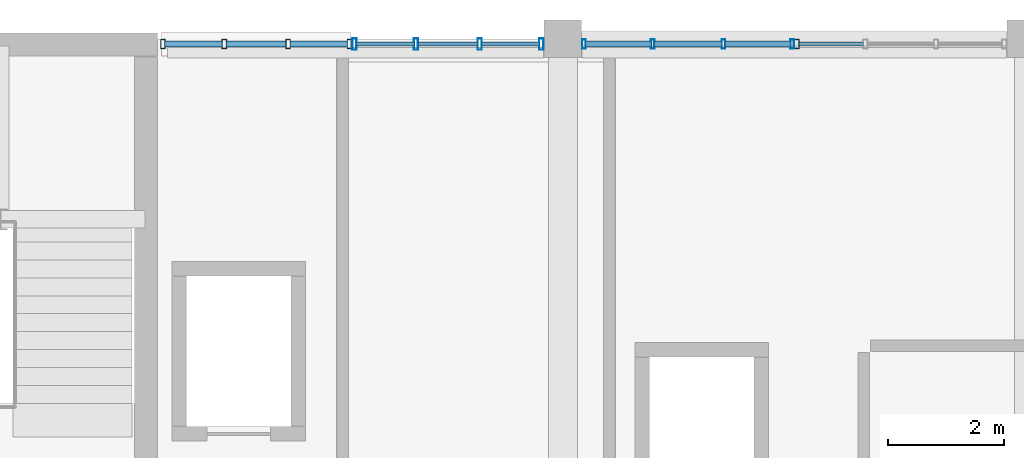
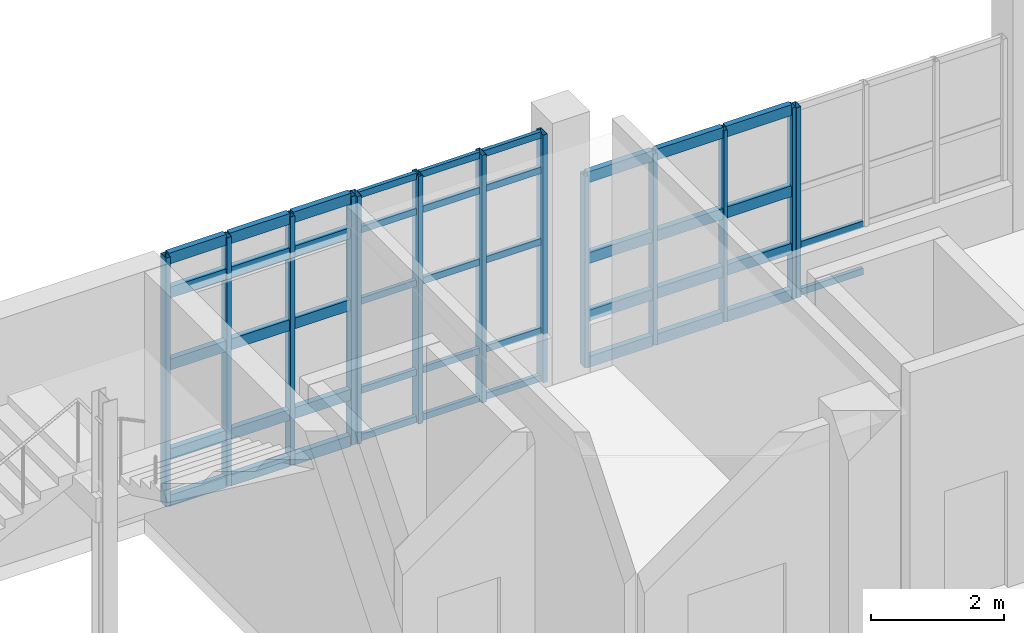
# One storey, part 47 of 102: 57 members, 4 elements without a shape of their own.
"""IFC4 building model written with IfcOpenShell, lengths in metres."""

from ifc_helpers import new_model, si_unit, derived_unit, direction, frame, origin, origin_2d, place, context, subcontext, project, spatial, hollow_rectangle, extrude, material, layer, layer_set, material_profile, profile_set, type_object, element, aggregate, save


model = new_model("IFC4")

# Units and contexts
model_context = context("Model", 3, precision=1e-05, world=origin(), true_north=direction((0.0, 1.0)))
body_context = subcontext(model_context, "Body", "Model", "MODEL_VIEW")
ifc_project = project(units=[si_unit("LENGTHUNIT", "METRE"), si_unit("AREAUNIT", "SQUARE_METRE"), si_unit("VOLUMEUNIT", "CUBIC_METRE"), si_unit("PLANEANGLEUNIT", "RADIAN"), si_unit("MASSUNIT", "GRAM", prefix="KILO"), derived_unit("THERMALTRANSMITTANCEUNIT", [(si_unit("POWERUNIT", "WATT"), 1), (si_unit("LENGTHUNIT", "METRE"), -2), (si_unit("THERMODYNAMICTEMPERATUREUNIT", "KELVIN"), -1)])], contexts=[model_context])

# Site, building, storey
site_placement = place(None, origin())
site = spatial("IfcSite", under=ifc_project, at=site_placement, CompositionType="ELEMENT")
building_placement = place(site_placement, origin())
building = spatial("IfcBuilding", under=site, at=building_placement, Name="Nallur Shell Playhouse", CompositionType="ELEMENT")
storey_placement = place(building_placement, frame((0.0, 0.0, 15.0)))
storey = spatial("IfcBuildingStorey", under=building, at=storey_placement, Name="L04", CompositionType="ELEMENT", Elevation=15.0)

# Curtain wall, members
ifc_material_1 = material(Name="Anodised Aluminium Double-Glazed Facade System", Category="aluminium")
ifc_layer_1 = layer(ifc_material_1, 0.16796875)
ifc_layer_set_1 = layer_set([ifc_layer_1], Name="Anodised Aluminium Double-Glazed Facade System")
curtain_wall_type_1 = type_object("IfcCurtainWallType", Name="CW-UNIT-08", PredefinedType="NOTDEFINED", material=ifc_layer_set_1)
curtain_wall_1_placement = place(storey_placement, origin())
curtain_wall_1 = element("IfcCurtainWall", 1, at=curtain_wall_1_placement, inside=storey, type_object=curtain_wall_type_1, Name="Unitised curtain wall CW-104 (L04)", PredefinedType="NOTDEFINED")
ifc_material_2 = material(Name="Aluminium Alloy 6063-T6 Mullion", Category="aluminium")
ifc_material_profile_1 = material_profile(ifc_material_2, hollow_rectangle(XDim=0.080078125, YDim=0.159912109375, WallThickness=0.006103515625, at=origin_2d()), Name="RHS 160x80x6")
ifc_profile_set_1 = profile_set([ifc_material_profile_1], Name="Aluminium Alloy 6063-T6 Mullion")
member_type_1 = type_object("IfcMemberType", Name="MB-CW-MUL150", PredefinedType="MULLION", material=ifc_profile_set_1)
member_1_placement = place(storey_placement, frame((33.090087890625, 82.909912109375, -0.014892578125), z_axis=(0.0, 0.0, 1.0), x_axis=(1.0, 0.0, 0.0)))
member_1 = element("IfcMember", 2, at=member_1_placement, type_object=member_type_1, Name="CW-08 mullion 1", PredefinedType="MULLION", context=body_context, shape_type="SweptSolid", body=[
    extrude(hollow_rectangle(XDim=0.080078125, YDim=0.159912109375, WallThickness=0.006103515625, at=origin_2d()), origin(), (0.0, 0.0, 1.0), 4.56884765625),
])
member_2_placement = place(storey_placement, frame((34.151123046875, 82.909912109375, -0.014892578125), z_axis=(0.0, 0.0, 1.0), x_axis=(1.0, 0.0, 0.0)))
member_2 = element("IfcMember", 3, at=member_2_placement, type_object=member_type_1, Name="CW-08 mullion 2", PredefinedType="MULLION", context=body_context, shape_type="SweptSolid", body=[
    extrude(hollow_rectangle(XDim=0.080078125, YDim=0.159912109375, WallThickness=0.006103515625, at=origin_2d()), origin(), (0.0, 0.0, 1.0), 4.56884765625),
])
member_3_placement = place(storey_placement, frame((35.25244140625, 82.909912109375, -0.014892578125), z_axis=(0.0, 0.0, 1.0), x_axis=(1.0, 0.0, 0.0)))
member_3 = element("IfcMember", 4, at=member_3_placement, type_object=member_type_1, Name="CW-08 mullion 3", PredefinedType="MULLION", context=body_context, shape_type="SweptSolid", body=[
    extrude(hollow_rectangle(XDim=0.080078125, YDim=0.159912109375, WallThickness=0.006103515625, at=origin_2d()), origin(), (0.0, 0.0, 1.0), 4.56884765625),
])
member_4_placement = place(storey_placement, frame((36.3134765625, 82.909912109375, -0.014892578125), z_axis=(0.0, 0.0, 1.0), x_axis=(1.0, 0.0, 0.0)))
member_4 = element("IfcMember", 5, at=member_4_placement, type_object=member_type_1, Name="CW-08 mullion 4", PredefinedType="MULLION", context=body_context, shape_type="SweptSolid", body=[
    extrude(hollow_rectangle(XDim=0.080078125, YDim=0.159912109375, WallThickness=0.006103515625, at=origin_2d()), origin(), (0.0, 0.0, 1.0), 4.56884765625),
])

# Curtain wall, member
ifc_layer_2 = layer(ifc_material_1, 0.179931640625)
ifc_layer_set_2 = layer_set([ifc_layer_2], Name="Anodised Aluminium Double-Glazed Facade System")
curtain_wall_type_2 = type_object("IfcCurtainWallType", Name="CW-UNIT-11", PredefinedType="NOTDEFINED", material=ifc_layer_set_2)
curtain_wall_2_placement = place(storey_placement, origin())
curtain_wall_2 = element("IfcCurtainWall", 6, at=curtain_wall_2_placement, inside=storey, type_object=curtain_wall_type_2, Name="Unitised curtain wall CW-107 (L04)", PredefinedType="NOTDEFINED")
member_5_placement = place(storey_placement, frame((44.044921875, 82.909912109375, -0.014892578125), z_axis=(0.0, 0.0, 1.0), x_axis=(1.0, 0.0, 0.0)))
member_5 = element("IfcMember", 7, at=member_5_placement, type_object=member_type_1, Name="CW-11 mullion 1", PredefinedType="MULLION", context=body_context, shape_type="SweptSolid", body=[
    extrude(hollow_rectangle(XDim=0.080078125, YDim=0.159912109375, WallThickness=0.006103515625, at=origin_2d()), origin(), (0.0, 0.0, 1.0), 3.493896484375),
])

# Curtain wall, members
ifc_layer_3 = layer(ifc_material_1, 0.176025390625)
ifc_layer_set_3 = layer_set([ifc_layer_3], Name="Anodised Aluminium Double-Glazed Facade System")
curtain_wall_type_3 = type_object("IfcCurtainWallType", Name="CW-UNIT-10", PredefinedType="NOTDEFINED", material=ifc_layer_set_3)
curtain_wall_3_placement = place(storey_placement, origin())
curtain_wall_3 = element("IfcCurtainWall", 8, at=curtain_wall_3_placement, inside=storey, type_object=curtain_wall_type_3, Name="Unitised curtain wall CW-106 (L04)", PredefinedType="NOTDEFINED")
ifc_material_profile_2 = material_profile(ifc_material_2, hollow_rectangle(XDim=0.06494140625, YDim=0.159912109375, WallThickness=0.00390625, at=origin_2d()), Name="ALU 65x160x4")
ifc_profile_set_2 = profile_set([ifc_material_profile_2], Name="Aluminium Alloy 6063-T6 Mullion")
member_type_2 = type_object("IfcMemberType", Name="MB-CW-MUL160", PredefinedType="MULLION", material=ifc_profile_set_2)
member_6_placement = place(storey_placement, frame((40.365478515625, 82.909912109375, -0.014892578125), z_axis=(0.0, 0.0, 1.0), x_axis=(1.0, 0.0, 0.0)))
member_6 = element("IfcMember", 9, at=member_6_placement, type_object=member_type_2, Name="CW-10 mullion 1", PredefinedType="MULLION", context=body_context, shape_type="SweptSolid", body=[
    extrude(hollow_rectangle(XDim=0.06494140625, YDim=0.159912109375, WallThickness=0.00390625, at=origin_2d()), origin(), (0.0, 0.0, 1.0), 3.513916015625),
])
member_7_placement = place(storey_placement, frame((41.5537109375, 82.909912109375, -0.014892578125), z_axis=(0.0, 0.0, 1.0), x_axis=(1.0, 0.0, 0.0)))
member_7 = element("IfcMember", 10, at=member_7_placement, type_object=member_type_2, Name="CW-10 mullion 2", PredefinedType="MULLION", context=body_context, shape_type="SweptSolid", body=[
    extrude(hollow_rectangle(XDim=0.06494140625, YDim=0.159912109375, WallThickness=0.00390625, at=origin_2d()), origin(), (0.0, 0.0, 1.0), 3.513916015625),
])
member_8_placement = place(storey_placement, frame((42.7744140625, 82.909912109375, -0.014892578125), z_axis=(0.0, 0.0, 1.0), x_axis=(1.0, 0.0, 0.0)))
member_8 = element("IfcMember", 11, at=member_8_placement, type_object=member_type_2, Name="CW-10 mullion 3", PredefinedType="MULLION", context=body_context, shape_type="SweptSolid", body=[
    extrude(hollow_rectangle(XDim=0.06494140625, YDim=0.159912109375, WallThickness=0.00390625, at=origin_2d()), origin(), (0.0, 0.0, 1.0), 3.513916015625),
])
member_9_placement = place(storey_placement, frame((43.96240234375, 82.909912109375, -0.014892578125), z_axis=(0.0, 0.0, 1.0), x_axis=(1.0, 0.0, 0.0)))
member_9 = element("IfcMember", 12, at=member_9_placement, type_object=member_type_2, Name="CW-10 mullion 4", PredefinedType="MULLION", context=body_context, shape_type="SweptSolid", body=[
    extrude(hollow_rectangle(XDim=0.06494140625, YDim=0.159912109375, WallThickness=0.00390625, at=origin_2d()), origin(), (0.0, 0.0, 1.0), 3.513916015625),
])

ifc_layer_4 = layer(ifc_material_1, 0.172119140625)
ifc_layer_set_4 = layer_set([ifc_layer_4], Name="Anodised Aluminium Double-Glazed Facade System")
curtain_wall_type_4 = type_object("IfcCurtainWallType", Name="CW-UNIT-09", PredefinedType="NOTDEFINED", material=ifc_layer_set_4)
curtain_wall_4_placement = place(storey_placement, origin())
curtain_wall_4 = element("IfcCurtainWall", 13, at=curtain_wall_4_placement, inside=storey, type_object=curtain_wall_type_4, Name="Unitised curtain wall CW-105 (L04)", PredefinedType="NOTDEFINED")
ifc_material_profile_3 = material_profile(ifc_material_2, hollow_rectangle(XDim=0.074951171875, YDim=0.199951171875, WallThickness=0.0048828125, at=origin_2d()), Name="ALU 75x200x5")
ifc_profile_set_3 = profile_set([ifc_material_profile_3], Name="Aluminium Alloy 6063-T6 Mullion")
member_type_3 = type_object("IfcMemberType", Name="MB-CW-MUL180", PredefinedType="MULLION", material=ifc_profile_set_3)
member_10_placement = place(storey_placement, frame((36.40087890625, 82.909912109375, -0.014892578125), z_axis=(0.0, 0.0, 1.0), x_axis=(1.0, 0.0, 0.0)))
member_10 = element("IfcMember", 14, at=member_10_placement, type_object=member_type_3, Name="CW-09 mullion 1", PredefinedType="MULLION", context=body_context, shape_type="SweptSolid", body=[
    extrude(hollow_rectangle(XDim=0.074951171875, YDim=0.199951171875, WallThickness=0.0048828125, at=origin_2d()), origin(), (0.0, 0.0, 1.0), 4.548828125),
])
member_11_placement = place(storey_placement, frame((37.464599609375, 82.909912109375, -0.014892578125), z_axis=(0.0, 0.0, 1.0), x_axis=(1.0, 0.0, 0.0)))
member_11 = element("IfcMember", 15, at=member_11_placement, type_object=member_type_3, Name="CW-09 mullion 2", PredefinedType="MULLION", context=body_context, shape_type="SweptSolid", body=[
    extrude(hollow_rectangle(XDim=0.074951171875, YDim=0.199951171875, WallThickness=0.0048828125, at=origin_2d()), origin(), (0.0, 0.0, 1.0), 4.548828125),
])
member_12_placement = place(storey_placement, frame((38.56591796875, 82.909912109375, -0.014892578125), z_axis=(0.0, 0.0, 1.0), x_axis=(1.0, 0.0, 0.0)))
member_12 = element("IfcMember", 16, at=member_12_placement, type_object=member_type_3, Name="CW-09 mullion 3", PredefinedType="MULLION", context=body_context, shape_type="SweptSolid", body=[
    extrude(hollow_rectangle(XDim=0.074951171875, YDim=0.199951171875, WallThickness=0.0048828125, at=origin_2d()), origin(), (0.0, 0.0, 1.0), 4.548828125),
])
member_13_placement = place(storey_placement, frame((39.62939453125, 82.909912109375, -0.014892578125), z_axis=(0.0, 0.0, 1.0), x_axis=(1.0, 0.0, 0.0)))
member_13 = element("IfcMember", 17, at=member_13_placement, type_object=member_type_3, Name="CW-09 mullion 4", PredefinedType="MULLION", context=body_context, shape_type="SweptSolid", body=[
    extrude(hollow_rectangle(XDim=0.074951171875, YDim=0.199951171875, WallThickness=0.0048828125, at=origin_2d()), origin(), (0.0, 0.0, 1.0), 4.548828125),
])
ifc_material_3 = material(Name="Aluminium Alloy 6063-T6 Transom", Category="aluminium")
ifc_material_profile_4 = material_profile(ifc_material_3, hollow_rectangle(XDim=0.06494140625, YDim=0.1201171875, WallThickness=0.00390625, at=origin_2d()), Name="ALU 65x120x4")
ifc_profile_set_4 = profile_set([ifc_material_profile_4], Name="Aluminium Alloy 6063-T6 Transom")
member_type_4 = type_object("IfcMemberType", Name="MB-CW-TRN120", PredefinedType="USERDEFINED", material=ifc_profile_set_4)
member_14_placement = place(storey_placement, frame((36.430419921875, 82.909912109375, 0.032470703125), z_axis=(1.0, 0.0, 0.0), x_axis=(0.0, 1.0, 0.0)))
member_14 = element("IfcMember", 18, at=member_14_placement, type_object=member_type_4, Name="CW-09 transom 1.1", ObjectType="TRANSOM", PredefinedType="USERDEFINED", context=body_context, shape_type="SweptSolid", body=[
    extrude(hollow_rectangle(XDim=0.06494140625, YDim=0.1201171875, WallThickness=0.00390625, at=origin_2d()), origin(), (0.0, 0.0, 1.0), 1.004638671875),
])
member_15_placement = place(storey_placement, frame((36.430419921875, 82.909912109375, 0.89990234375), z_axis=(1.0, 0.0, 0.0), x_axis=(0.0, 1.0, 0.0)))
member_15 = element("IfcMember", 19, at=member_15_placement, type_object=member_type_4, Name="CW-09 transom 1.2", ObjectType="TRANSOM", PredefinedType="USERDEFINED", context=body_context, shape_type="SweptSolid", body=[
    extrude(hollow_rectangle(XDim=0.06494140625, YDim=0.1201171875, WallThickness=0.00390625, at=origin_2d()), origin(), (0.0, 0.0, 1.0), 1.004638671875),
])
member_16_placement = place(storey_placement, frame((36.430419921875, 82.909912109375, 2.537109375), z_axis=(1.0, 0.0, 0.0), x_axis=(0.0, 1.0, 0.0)))
member_16 = element("IfcMember", 20, at=member_16_placement, type_object=member_type_4, Name="CW-09 transom 1.3", ObjectType="TRANSOM", PredefinedType="USERDEFINED", context=body_context, shape_type="SweptSolid", body=[
    extrude(hollow_rectangle(XDim=0.06494140625, YDim=0.1201171875, WallThickness=0.00390625, at=origin_2d()), origin(), (0.0, 0.0, 1.0), 1.004638671875),
])
member_17_placement = place(storey_placement, frame((36.430419921875, 82.909912109375, 3.85009765625), z_axis=(1.0, 0.0, 0.0), x_axis=(0.0, 1.0, 0.0)))
member_17 = element("IfcMember", 21, at=member_17_placement, type_object=member_type_4, Name="CW-09 transom 1.4", ObjectType="TRANSOM", PredefinedType="USERDEFINED", context=body_context, shape_type="SweptSolid", body=[
    extrude(hollow_rectangle(XDim=0.06494140625, YDim=0.1201171875, WallThickness=0.00390625, at=origin_2d()), origin(), (0.0, 0.0, 1.0), 1.004638671875),
])
member_18_placement = place(storey_placement, frame((36.430419921875, 82.909912109375, 4.49755859375), z_axis=(1.0, 0.0, 0.0), x_axis=(0.0, 1.0, 0.0)))
member_18 = element("IfcMember", 22, at=member_18_placement, type_object=member_type_4, Name="CW-09 transom 1.5", ObjectType="TRANSOM", PredefinedType="USERDEFINED", context=body_context, shape_type="SweptSolid", body=[
    extrude(hollow_rectangle(XDim=0.06494140625, YDim=0.1201171875, WallThickness=0.00390625, at=origin_2d()), origin(), (0.0, 0.0, 1.0), 1.004638671875),
])
member_19_placement = place(storey_placement, frame((37.494140625, 82.909912109375, 0.032470703125), z_axis=(1.0, 0.0, 0.0), x_axis=(0.0, 1.0, 0.0)))
member_19 = element("IfcMember", 23, at=member_19_placement, type_object=member_type_4, Name="CW-09 transom 2.1", ObjectType="TRANSOM", PredefinedType="USERDEFINED", context=body_context, shape_type="SweptSolid", body=[
    extrude(hollow_rectangle(XDim=0.06494140625, YDim=0.1201171875, WallThickness=0.00390625, at=origin_2d()), origin(), (0.0, 0.0, 1.0), 1.042236328125),
])
member_20_placement = place(storey_placement, frame((37.494140625, 82.909912109375, 0.89990234375), z_axis=(1.0, 0.0, 0.0), x_axis=(0.0, 1.0, 0.0)))
member_20 = element("IfcMember", 24, at=member_20_placement, type_object=member_type_4, Name="CW-09 transom 2.2", ObjectType="TRANSOM", PredefinedType="USERDEFINED", context=body_context, shape_type="SweptSolid", body=[
    extrude(hollow_rectangle(XDim=0.06494140625, YDim=0.1201171875, WallThickness=0.00390625, at=origin_2d()), origin(), (0.0, 0.0, 1.0), 1.042236328125),
])
member_21_placement = place(storey_placement, frame((37.494140625, 82.909912109375, 2.537109375), z_axis=(1.0, 0.0, 0.0), x_axis=(0.0, 1.0, 0.0)))
member_21 = element("IfcMember", 25, at=member_21_placement, type_object=member_type_4, Name="CW-09 transom 2.3", ObjectType="TRANSOM", PredefinedType="USERDEFINED", context=body_context, shape_type="SweptSolid", body=[
    extrude(hollow_rectangle(XDim=0.06494140625, YDim=0.1201171875, WallThickness=0.00390625, at=origin_2d()), origin(), (0.0, 0.0, 1.0), 1.042236328125),
])
member_22_placement = place(storey_placement, frame((37.494140625, 82.909912109375, 3.85009765625), z_axis=(1.0, 0.0, 0.0), x_axis=(0.0, 1.0, 0.0)))
member_22 = element("IfcMember", 26, at=member_22_placement, type_object=member_type_4, Name="CW-09 transom 2.4", ObjectType="TRANSOM", PredefinedType="USERDEFINED", context=body_context, shape_type="SweptSolid", body=[
    extrude(hollow_rectangle(XDim=0.06494140625, YDim=0.1201171875, WallThickness=0.00390625, at=origin_2d()), origin(), (0.0, 0.0, 1.0), 1.042236328125),
])
member_23_placement = place(storey_placement, frame((37.494140625, 82.909912109375, 4.49755859375), z_axis=(1.0, 0.0, 0.0), x_axis=(0.0, 1.0, 0.0)))
member_23 = element("IfcMember", 27, at=member_23_placement, type_object=member_type_4, Name="CW-09 transom 2.5", ObjectType="TRANSOM", PredefinedType="USERDEFINED", context=body_context, shape_type="SweptSolid", body=[
    extrude(hollow_rectangle(XDim=0.06494140625, YDim=0.1201171875, WallThickness=0.00390625, at=origin_2d()), origin(), (0.0, 0.0, 1.0), 1.042236328125),
])
member_24_placement = place(storey_placement, frame((38.59521484375, 82.909912109375, 0.032470703125), z_axis=(1.0, 0.0, 0.0), x_axis=(0.0, 1.0, 0.0)))
member_24 = element("IfcMember", 28, at=member_24_placement, type_object=member_type_4, Name="CW-09 transom 3.1", ObjectType="TRANSOM", PredefinedType="USERDEFINED", context=body_context, shape_type="SweptSolid", body=[
    extrude(hollow_rectangle(XDim=0.06494140625, YDim=0.1201171875, WallThickness=0.00390625, at=origin_2d()), origin(), (0.0, 0.0, 1.0), 1.0048828125),
])
member_25_placement = place(storey_placement, frame((38.59521484375, 82.909912109375, 0.89990234375), z_axis=(1.0, 0.0, 0.0), x_axis=(0.0, 1.0, 0.0)))
member_25 = element("IfcMember", 29, at=member_25_placement, type_object=member_type_4, Name="CW-09 transom 3.2", ObjectType="TRANSOM", PredefinedType="USERDEFINED", context=body_context, shape_type="SweptSolid", body=[
    extrude(hollow_rectangle(XDim=0.06494140625, YDim=0.1201171875, WallThickness=0.00390625, at=origin_2d()), origin(), (0.0, 0.0, 1.0), 1.0048828125),
])
member_26_placement = place(storey_placement, frame((38.59521484375, 82.909912109375, 2.537109375), z_axis=(1.0, 0.0, 0.0), x_axis=(0.0, 1.0, 0.0)))
member_26 = element("IfcMember", 30, at=member_26_placement, type_object=member_type_4, Name="CW-09 transom 3.3", ObjectType="TRANSOM", PredefinedType="USERDEFINED", context=body_context, shape_type="SweptSolid", body=[
    extrude(hollow_rectangle(XDim=0.06494140625, YDim=0.1201171875, WallThickness=0.00390625, at=origin_2d()), origin(), (0.0, 0.0, 1.0), 1.0048828125),
])
member_27_placement = place(storey_placement, frame((38.59521484375, 82.909912109375, 3.85009765625), z_axis=(1.0, 0.0, 0.0), x_axis=(0.0, 1.0, 0.0)))
member_27 = element("IfcMember", 31, at=member_27_placement, type_object=member_type_4, Name="CW-09 transom 3.4", ObjectType="TRANSOM", PredefinedType="USERDEFINED", context=body_context, shape_type="SweptSolid", body=[
    extrude(hollow_rectangle(XDim=0.06494140625, YDim=0.1201171875, WallThickness=0.00390625, at=origin_2d()), origin(), (0.0, 0.0, 1.0), 1.0048828125),
])
member_28_placement = place(storey_placement, frame((38.59521484375, 82.909912109375, 4.49755859375), z_axis=(1.0, 0.0, 0.0), x_axis=(0.0, 1.0, 0.0)))
member_28 = element("IfcMember", 32, at=member_28_placement, type_object=member_type_4, Name="CW-09 transom 3.5", ObjectType="TRANSOM", PredefinedType="USERDEFINED", context=body_context, shape_type="SweptSolid", body=[
    extrude(hollow_rectangle(XDim=0.06494140625, YDim=0.1201171875, WallThickness=0.00390625, at=origin_2d()), origin(), (0.0, 0.0, 1.0), 1.0048828125),
])
aggregate(curtain_wall_4, [member_10, member_11, member_12, member_13, member_14, member_15, member_16, member_17, member_18, member_19, member_20, member_21, member_22, member_23, member_24, member_25, member_26, member_27, member_28])

# Member
member_29_placement = place(storey_placement, frame((44.076904296875, 82.909912109375, 0.032470703125), z_axis=(1.0, 0.0, 0.0), x_axis=(0.0, 1.0, 0.0)))
member_29 = element("IfcMember", 33, at=member_29_placement, type_object=member_type_4, Name="CW-11 transom 1.1", ObjectType="TRANSOM", PredefinedType="USERDEFINED", context=body_context, shape_type="SweptSolid", body=[
    extrude(hollow_rectangle(XDim=0.06494140625, YDim=0.1201171875, WallThickness=0.00390625, at=origin_2d()), origin(), (0.0, 0.0, 1.0), 1.11669921875),
])

member_30_placement = place(storey_placement, frame((44.076904296875, 82.909912109375, 0.89990234375), z_axis=(1.0, 0.0, 0.0), x_axis=(0.0, 1.0, 0.0)))
member_30 = element("IfcMember", 34, at=member_30_placement, type_object=member_type_4, Name="CW-11 transom 1.2", ObjectType="TRANSOM", PredefinedType="USERDEFINED", context=body_context, shape_type="SweptSolid", body=[
    extrude(hollow_rectangle(XDim=0.06494140625, YDim=0.1201171875, WallThickness=0.00390625, at=origin_2d()), origin(), (0.0, 0.0, 1.0), 1.11669921875),
])

aggregate(curtain_wall_2, [member_5, member_29, member_30])

ifc_material_profile_5 = material_profile(ifc_material_3, hollow_rectangle(XDim=0.10009765625, YDim=0.199951171875, WallThickness=0.008056640625, at=origin_2d()), Name="RHS 200x100x8")
ifc_profile_set_5 = profile_set([ifc_material_profile_5], Name="Aluminium Alloy 6063-T6 Transom")
member_type_5 = type_object("IfcMemberType", Name="MB-CW-TRN140", PredefinedType="USERDEFINED", material=ifc_profile_set_5)
member_31_placement = place(storey_placement, frame((33.1220703125, 82.909912109375, 0.050048828125), z_axis=(1.0, 0.0, 0.0), x_axis=(0.0, 1.0, 0.0)))
member_31 = element("IfcMember", 35, at=member_31_placement, type_object=member_type_5, Name="CW-08 transom 1.1", ObjectType="TRANSOM", PredefinedType="USERDEFINED", context=body_context, shape_type="SweptSolid", body=[
    extrude(hollow_rectangle(XDim=0.10009765625, YDim=0.199951171875, WallThickness=0.008056640625, at=origin_2d()), origin(), (0.0, 0.0, 1.0), 0.9970703125),
])

member_32_placement = place(storey_placement, frame((33.1220703125, 82.909912109375, 0.89990234375), z_axis=(1.0, 0.0, 0.0), x_axis=(0.0, 1.0, 0.0)))
member_32 = element("IfcMember", 36, at=member_32_placement, type_object=member_type_5, Name="CW-08 transom 1.2", ObjectType="TRANSOM", PredefinedType="USERDEFINED", context=body_context, shape_type="SweptSolid", body=[
    extrude(hollow_rectangle(XDim=0.10009765625, YDim=0.199951171875, WallThickness=0.008056640625, at=origin_2d()), origin(), (0.0, 0.0, 1.0), 0.9970703125),
])

member_33_placement = place(storey_placement, frame((33.1220703125, 82.909912109375, 2.548095703125), z_axis=(1.0, 0.0, 0.0), x_axis=(0.0, 1.0, 0.0)))
member_33 = element("IfcMember", 37, at=member_33_placement, type_object=member_type_5, Name="CW-08 transom 1.3", ObjectType="TRANSOM", PredefinedType="USERDEFINED", context=body_context, shape_type="SweptSolid", body=[
    extrude(hollow_rectangle(XDim=0.10009765625, YDim=0.199951171875, WallThickness=0.008056640625, at=origin_2d()), origin(), (0.0, 0.0, 1.0), 0.9970703125),
])

member_34_placement = place(storey_placement, frame((33.1220703125, 82.909912109375, 3.8701171875), z_axis=(1.0, 0.0, 0.0), x_axis=(0.0, 1.0, 0.0)))
member_34 = element("IfcMember", 38, at=member_34_placement, type_object=member_type_5, Name="CW-08 transom 1.4", ObjectType="TRANSOM", PredefinedType="USERDEFINED", context=body_context, shape_type="SweptSolid", body=[
    extrude(hollow_rectangle(XDim=0.10009765625, YDim=0.199951171875, WallThickness=0.008056640625, at=origin_2d()), origin(), (0.0, 0.0, 1.0), 0.9970703125),
])

member_35_placement = place(storey_placement, frame((33.1220703125, 82.909912109375, 4.5), z_axis=(1.0, 0.0, 0.0), x_axis=(0.0, 1.0, 0.0)))
member_35 = element("IfcMember", 39, at=member_35_placement, type_object=member_type_5, Name="CW-08 transom 1.5", ObjectType="TRANSOM", PredefinedType="USERDEFINED", context=body_context, shape_type="SweptSolid", body=[
    extrude(hollow_rectangle(XDim=0.10009765625, YDim=0.199951171875, WallThickness=0.008056640625, at=origin_2d()), origin(), (0.0, 0.0, 1.0), 0.9970703125),
])

member_36_placement = place(storey_placement, frame((34.18310546875, 82.909912109375, 0.050048828125), z_axis=(1.0, 0.0, 0.0), x_axis=(0.0, 1.0, 0.0)))
member_36 = element("IfcMember", 40, at=member_36_placement, type_object=member_type_5, Name="CW-08 transom 2.1", ObjectType="TRANSOM", PredefinedType="USERDEFINED", context=body_context, shape_type="SweptSolid", body=[
    extrude(hollow_rectangle(XDim=0.10009765625, YDim=0.199951171875, WallThickness=0.008056640625, at=origin_2d()), origin(), (0.0, 0.0, 1.0), 1.037109375),
])

member_37_placement = place(storey_placement, frame((34.18310546875, 82.909912109375, 0.89990234375), z_axis=(1.0, 0.0, 0.0), x_axis=(0.0, 1.0, 0.0)))
member_37 = element("IfcMember", 41, at=member_37_placement, type_object=member_type_5, Name="CW-08 transom 2.2", ObjectType="TRANSOM", PredefinedType="USERDEFINED", context=body_context, shape_type="SweptSolid", body=[
    extrude(hollow_rectangle(XDim=0.10009765625, YDim=0.199951171875, WallThickness=0.008056640625, at=origin_2d()), origin(), (0.0, 0.0, 1.0), 1.037109375),
])

member_38_placement = place(storey_placement, frame((34.18310546875, 82.909912109375, 2.548095703125), z_axis=(1.0, 0.0, 0.0), x_axis=(0.0, 1.0, 0.0)))
member_38 = element("IfcMember", 42, at=member_38_placement, type_object=member_type_5, Name="CW-08 transom 2.3", ObjectType="TRANSOM", PredefinedType="USERDEFINED", context=body_context, shape_type="SweptSolid", body=[
    extrude(hollow_rectangle(XDim=0.10009765625, YDim=0.199951171875, WallThickness=0.008056640625, at=origin_2d()), origin(), (0.0, 0.0, 1.0), 1.037109375),
])

member_39_placement = place(storey_placement, frame((34.18310546875, 82.909912109375, 3.8701171875), z_axis=(1.0, 0.0, 0.0), x_axis=(0.0, 1.0, 0.0)))
member_39 = element("IfcMember", 43, at=member_39_placement, type_object=member_type_5, Name="CW-08 transom 2.4", ObjectType="TRANSOM", PredefinedType="USERDEFINED", context=body_context, shape_type="SweptSolid", body=[
    extrude(hollow_rectangle(XDim=0.10009765625, YDim=0.199951171875, WallThickness=0.008056640625, at=origin_2d()), origin(), (0.0, 0.0, 1.0), 1.037109375),
])

member_40_placement = place(storey_placement, frame((34.18310546875, 82.909912109375, 4.5), z_axis=(1.0, 0.0, 0.0), x_axis=(0.0, 1.0, 0.0)))
member_40 = element("IfcMember", 44, at=member_40_placement, type_object=member_type_5, Name="CW-08 transom 2.5", ObjectType="TRANSOM", PredefinedType="USERDEFINED", context=body_context, shape_type="SweptSolid", body=[
    extrude(hollow_rectangle(XDim=0.10009765625, YDim=0.199951171875, WallThickness=0.008056640625, at=origin_2d()), origin(), (0.0, 0.0, 1.0), 1.037109375),
])

member_41_placement = place(storey_placement, frame((35.284423828125, 82.909912109375, 0.050048828125), z_axis=(1.0, 0.0, 0.0), x_axis=(0.0, 1.0, 0.0)))
member_41 = element("IfcMember", 45, at=member_41_placement, type_object=member_type_5, Name="CW-08 transom 3.1", ObjectType="TRANSOM", PredefinedType="USERDEFINED", context=body_context, shape_type="SweptSolid", body=[
    extrude(hollow_rectangle(XDim=0.10009765625, YDim=0.199951171875, WallThickness=0.008056640625, at=origin_2d()), origin(), (0.0, 0.0, 1.0), 0.9970703125),
])

member_42_placement = place(storey_placement, frame((35.284423828125, 82.909912109375, 0.89990234375), z_axis=(1.0, 0.0, 0.0), x_axis=(0.0, 1.0, 0.0)))
member_42 = element("IfcMember", 46, at=member_42_placement, type_object=member_type_5, Name="CW-08 transom 3.2", ObjectType="TRANSOM", PredefinedType="USERDEFINED", context=body_context, shape_type="SweptSolid", body=[
    extrude(hollow_rectangle(XDim=0.10009765625, YDim=0.199951171875, WallThickness=0.008056640625, at=origin_2d()), origin(), (0.0, 0.0, 1.0), 0.9970703125),
])

member_43_placement = place(storey_placement, frame((35.284423828125, 82.909912109375, 2.548095703125), z_axis=(1.0, 0.0, 0.0), x_axis=(0.0, 1.0, 0.0)))
member_43 = element("IfcMember", 47, at=member_43_placement, type_object=member_type_5, Name="CW-08 transom 3.3", ObjectType="TRANSOM", PredefinedType="USERDEFINED", context=body_context, shape_type="SweptSolid", body=[
    extrude(hollow_rectangle(XDim=0.10009765625, YDim=0.199951171875, WallThickness=0.008056640625, at=origin_2d()), origin(), (0.0, 0.0, 1.0), 0.9970703125),
])

member_44_placement = place(storey_placement, frame((35.284423828125, 82.909912109375, 3.8701171875), z_axis=(1.0, 0.0, 0.0), x_axis=(0.0, 1.0, 0.0)))
member_44 = element("IfcMember", 48, at=member_44_placement, type_object=member_type_5, Name="CW-08 transom 3.4", ObjectType="TRANSOM", PredefinedType="USERDEFINED", context=body_context, shape_type="SweptSolid", body=[
    extrude(hollow_rectangle(XDim=0.10009765625, YDim=0.199951171875, WallThickness=0.008056640625, at=origin_2d()), origin(), (0.0, 0.0, 1.0), 0.9970703125),
])

member_45_placement = place(storey_placement, frame((35.284423828125, 82.909912109375, 4.5), z_axis=(1.0, 0.0, 0.0), x_axis=(0.0, 1.0, 0.0)))
member_45 = element("IfcMember", 49, at=member_45_placement, type_object=member_type_5, Name="CW-08 transom 3.5", ObjectType="TRANSOM", PredefinedType="USERDEFINED", context=body_context, shape_type="SweptSolid", body=[
    extrude(hollow_rectangle(XDim=0.10009765625, YDim=0.199951171875, WallThickness=0.008056640625, at=origin_2d()), origin(), (0.0, 0.0, 1.0), 0.9970703125),
])

aggregate(curtain_wall_1, [member_1, member_2, member_3, member_4, member_31, member_32, member_33, member_34, member_35, member_36, member_37, member_38, member_39, member_40, member_41, member_42, member_43, member_44, member_45])

member_46_placement = place(storey_placement, frame((40.389892578125, 82.909912109375, 0.050048828125), z_axis=(1.0, 0.0, 0.0), x_axis=(0.0, 1.0, 0.0)))
member_46 = element("IfcMember", 50, at=member_46_placement, type_object=member_type_5, Name="CW-10 transom 1.1", ObjectType="TRANSOM", PredefinedType="USERDEFINED", context=body_context, shape_type="SweptSolid", body=[
    extrude(hollow_rectangle(XDim=0.10009765625, YDim=0.199951171875, WallThickness=0.008056640625, at=origin_2d()), origin(), (0.0, 0.0, 1.0), 1.13916015625),
])

member_47_placement = place(storey_placement, frame((40.389892578125, 82.909912109375, 0.89990234375), z_axis=(1.0, 0.0, 0.0), x_axis=(0.0, 1.0, 0.0)))
member_47 = element("IfcMember", 51, at=member_47_placement, type_object=member_type_5, Name="CW-10 transom 1.2", ObjectType="TRANSOM", PredefinedType="USERDEFINED", context=body_context, shape_type="SweptSolid", body=[
    extrude(hollow_rectangle(XDim=0.10009765625, YDim=0.199951171875, WallThickness=0.008056640625, at=origin_2d()), origin(), (0.0, 0.0, 1.0), 1.13916015625),
])

member_48_placement = place(storey_placement, frame((40.389892578125, 82.909912109375, 1.95703125), z_axis=(1.0, 0.0, 0.0), x_axis=(0.0, 1.0, 0.0)))
member_48 = element("IfcMember", 52, at=member_48_placement, type_object=member_type_5, Name="CW-10 transom 1.3", ObjectType="TRANSOM", PredefinedType="USERDEFINED", context=body_context, shape_type="SweptSolid", body=[
    extrude(hollow_rectangle(XDim=0.10009765625, YDim=0.199951171875, WallThickness=0.008056640625, at=origin_2d()), origin(), (0.0, 0.0, 1.0), 1.13916015625),
])

member_49_placement = place(storey_placement, frame((40.389892578125, 82.909912109375, 3.445068359375), z_axis=(1.0, 0.0, 0.0), x_axis=(0.0, 1.0, 0.0)))
member_49 = element("IfcMember", 53, at=member_49_placement, type_object=member_type_5, Name="CW-10 transom 1.4", ObjectType="TRANSOM", PredefinedType="USERDEFINED", context=body_context, shape_type="SweptSolid", body=[
    extrude(hollow_rectangle(XDim=0.10009765625, YDim=0.199951171875, WallThickness=0.008056640625, at=origin_2d()), origin(), (0.0, 0.0, 1.0), 1.13916015625),
])

member_50_placement = place(storey_placement, frame((41.578125, 82.909912109375, 0.050048828125), z_axis=(1.0, 0.0, 0.0), x_axis=(0.0, 1.0, 0.0)))
member_50 = element("IfcMember", 54, at=member_50_placement, type_object=member_type_5, Name="CW-10 transom 2.1", ObjectType="TRANSOM", PredefinedType="USERDEFINED", context=body_context, shape_type="SweptSolid", body=[
    extrude(hollow_rectangle(XDim=0.10009765625, YDim=0.199951171875, WallThickness=0.008056640625, at=origin_2d()), origin(), (0.0, 0.0, 1.0), 1.171630859375),
])

member_51_placement = place(storey_placement, frame((41.578125, 82.909912109375, 0.89990234375), z_axis=(1.0, 0.0, 0.0), x_axis=(0.0, 1.0, 0.0)))
member_51 = element("IfcMember", 55, at=member_51_placement, type_object=member_type_5, Name="CW-10 transom 2.2", ObjectType="TRANSOM", PredefinedType="USERDEFINED", context=body_context, shape_type="SweptSolid", body=[
    extrude(hollow_rectangle(XDim=0.10009765625, YDim=0.199951171875, WallThickness=0.008056640625, at=origin_2d()), origin(), (0.0, 0.0, 1.0), 1.171630859375),
])

member_52_placement = place(storey_placement, frame((41.578125, 82.909912109375, 1.95703125), z_axis=(1.0, 0.0, 0.0), x_axis=(0.0, 1.0, 0.0)))
member_52 = element("IfcMember", 56, at=member_52_placement, type_object=member_type_5, Name="CW-10 transom 2.3", ObjectType="TRANSOM", PredefinedType="USERDEFINED", context=body_context, shape_type="SweptSolid", body=[
    extrude(hollow_rectangle(XDim=0.10009765625, YDim=0.199951171875, WallThickness=0.008056640625, at=origin_2d()), origin(), (0.0, 0.0, 1.0), 1.171630859375),
])

member_53_placement = place(storey_placement, frame((41.578125, 82.909912109375, 3.445068359375), z_axis=(1.0, 0.0, 0.0), x_axis=(0.0, 1.0, 0.0)))
member_53 = element("IfcMember", 57, at=member_53_placement, type_object=member_type_5, Name="CW-10 transom 2.4", ObjectType="TRANSOM", PredefinedType="USERDEFINED", context=body_context, shape_type="SweptSolid", body=[
    extrude(hollow_rectangle(XDim=0.10009765625, YDim=0.199951171875, WallThickness=0.008056640625, at=origin_2d()), origin(), (0.0, 0.0, 1.0), 1.171630859375),
])

member_54_placement = place(storey_placement, frame((42.798828125, 82.909912109375, 0.050048828125), z_axis=(1.0, 0.0, 0.0), x_axis=(0.0, 1.0, 0.0)))
member_54 = element("IfcMember", 58, at=member_54_placement, type_object=member_type_5, Name="CW-10 transom 3.1", ObjectType="TRANSOM", PredefinedType="USERDEFINED", context=body_context, shape_type="SweptSolid", body=[
    extrude(hollow_rectangle(XDim=0.10009765625, YDim=0.199951171875, WallThickness=0.008056640625, at=origin_2d()), origin(), (0.0, 0.0, 1.0), 1.13916015625),
])

member_55_placement = place(storey_placement, frame((42.798828125, 82.909912109375, 0.89990234375), z_axis=(1.0, 0.0, 0.0), x_axis=(0.0, 1.0, 0.0)))
member_55 = element("IfcMember", 59, at=member_55_placement, type_object=member_type_5, Name="CW-10 transom 3.2", ObjectType="TRANSOM", PredefinedType="USERDEFINED", context=body_context, shape_type="SweptSolid", body=[
    extrude(hollow_rectangle(XDim=0.10009765625, YDim=0.199951171875, WallThickness=0.008056640625, at=origin_2d()), origin(), (0.0, 0.0, 1.0), 1.13916015625),
])

member_56_placement = place(storey_placement, frame((42.798828125, 82.909912109375, 1.95703125), z_axis=(1.0, 0.0, 0.0), x_axis=(0.0, 1.0, 0.0)))
member_56 = element("IfcMember", 60, at=member_56_placement, type_object=member_type_5, Name="CW-10 transom 3.3", ObjectType="TRANSOM", PredefinedType="USERDEFINED", context=body_context, shape_type="SweptSolid", body=[
    extrude(hollow_rectangle(XDim=0.10009765625, YDim=0.199951171875, WallThickness=0.008056640625, at=origin_2d()), origin(), (0.0, 0.0, 1.0), 1.13916015625),
])

member_57_placement = place(storey_placement, frame((42.798828125, 82.909912109375, 3.445068359375), z_axis=(1.0, 0.0, 0.0), x_axis=(0.0, 1.0, 0.0)))
member_57 = element("IfcMember", 61, at=member_57_placement, type_object=member_type_5, Name="CW-10 transom 3.4", ObjectType="TRANSOM", PredefinedType="USERDEFINED", context=body_context, shape_type="SweptSolid", body=[
    extrude(hollow_rectangle(XDim=0.10009765625, YDim=0.199951171875, WallThickness=0.008056640625, at=origin_2d()), origin(), (0.0, 0.0, 1.0), 1.13916015625),
])

aggregate(curtain_wall_3, [member_6, member_7, member_8, member_9, member_46, member_47, member_48, member_49, member_50, member_51, member_52, member_53, member_54, member_55, member_56, member_57])

save(model, "model.ifc")
